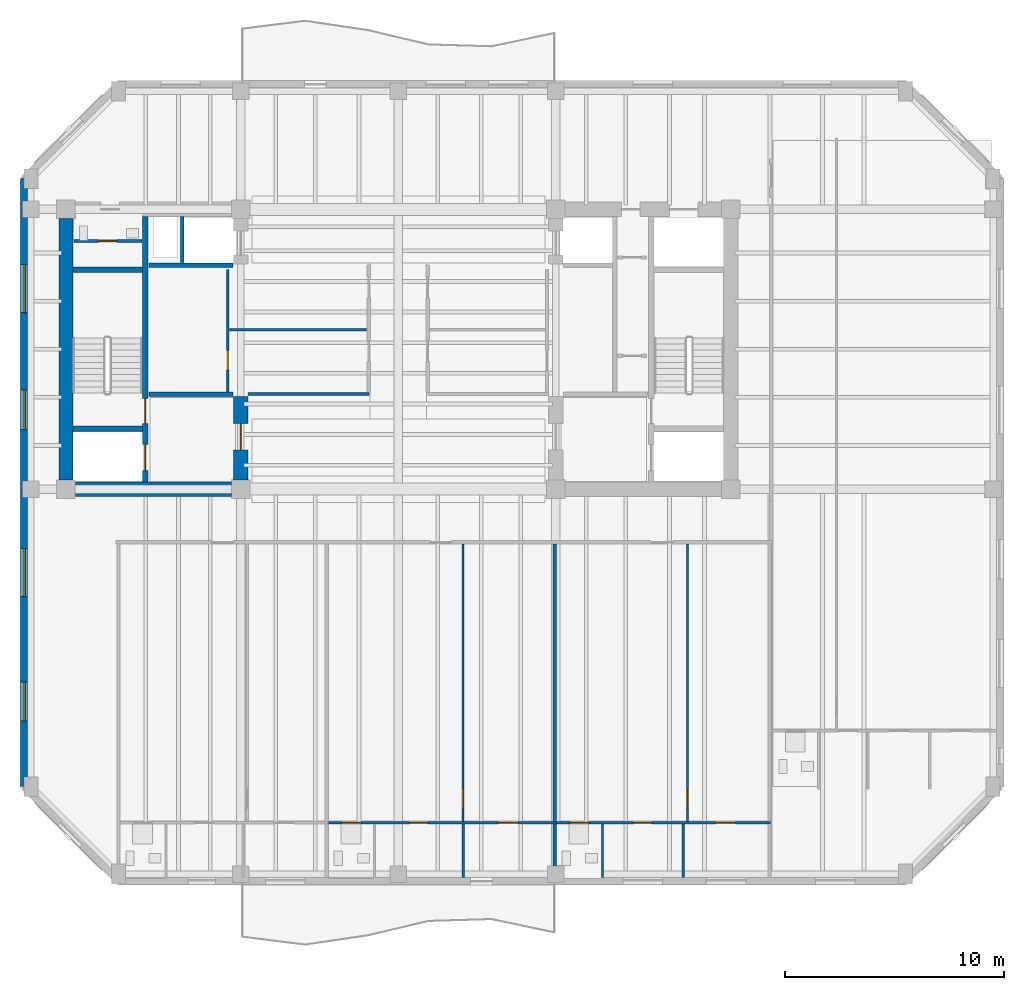
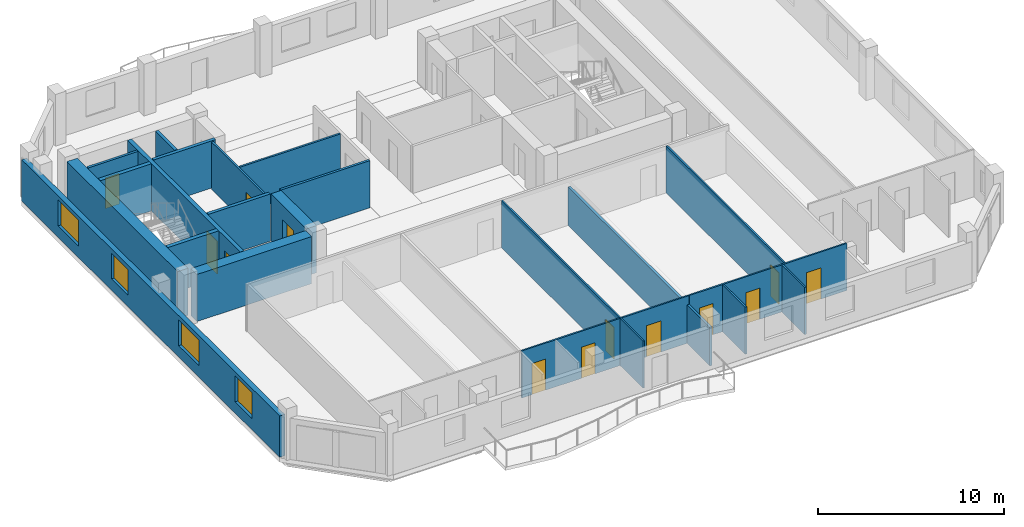
# One storey, part 3 of 10: 22 walls, 13 doors, 4 windows, 17 openings.
"""IFC4 building model written with IfcOpenShell, lengths in metres."""

import ifcopenshell
import ifcopenshell.guid

model = None  # the IFC model being written
_history = None  # IfcOwnerHistory: only IFC2X3 demands one
_inside = {}  # id of a spatial element -> (the spatial element, [elements in it])
_under = {}  # id of a project, library or spatial element -> (it, [spatial elements below it])
_declared = {}  # id of a project -> (the project, [libraries it declares])
_typed = {}  # id of a type object -> (the type object, [elements of that type])
_made_of = {}  # id of a material, layer set ... -> (it, [elements and type objects made of it])


def new_model(schema):
    """Start an empty IFC model of exactly this schema.

    Asked for "IFC4X3", IfcOpenShell would pick the latest addendum, in which some entities
    have other attributes; the version numbers below select the first issue.
    IFC2X3 requires an IfcOwnerHistory on every rooted entity: one is made here for all.
    """
    global model, _history
    if schema == "IFC4X3":
        model = ifcopenshell.file(schema_version=(4, 3, 0, 0))
    else:
        model = ifcopenshell.file(schema=schema)
    _inside.clear()
    _under.clear()
    _declared.clear()
    _typed.clear()
    _made_of.clear()
    _history = None
    if model.schema == "IFC2X3":
        org = make("IfcOrganization", Name="unknown")
        user = make(
            "IfcPersonAndOrganization",
            ThePerson=make("IfcPerson", FamilyName="unknown"),
            TheOrganization=org,
        )
        app = make(
            "IfcApplication",
            ApplicationDeveloper=org,
            Version="unknown",
            ApplicationFullName="unknown",
            ApplicationIdentifier="unknown",
        )
        _history = make(
            "IfcOwnerHistory",
            OwningUser=user,
            OwningApplication=app,
            ChangeAction="ADDED",
            CreationDate=0,
        )
    return model


def make(cls, **values):
    """One entity of the class cls with the attributes given. An attribute that is None is left unset."""
    return model.create_entity(
        cls, **{name: value for name, value in values.items() if value is not None}
    )


def rooted(cls, **values):
    """An entity with a GlobalId (a new one), such as an element, a storey or a relation."""
    return make(cls, GlobalId=ifcopenshell.guid.new(), OwnerHistory=_history, **values)


def si_unit(unit_type, name, prefix=None):
    """IfcSIUnit, for example si_unit("LENGTHUNIT", "METRE", prefix="MILLI")."""
    return make("IfcSIUnit", UnitType=unit_type, Prefix=prefix, Name=name)


def assignment(units):
    """IfcUnitAssignment: the units of a project."""
    return None if units is None else make("IfcUnitAssignment", Units=units)


def point(xyz):
    """IfcCartesianPoint."""
    return None if xyz is None else make("IfcCartesianPoint", Coordinates=xyz)


def direction(xyz):
    """IfcDirection."""
    return None if xyz is None else make("IfcDirection", DirectionRatios=xyz)


def frame(location, z_axis=None, x_axis=None):
    """IfcAxis2Placement3D, a coordinate frame: its origin and axes. An axis left out is left unset."""
    return make(
        "IfcAxis2Placement3D",
        Location=point(location),
        Axis=direction(z_axis),
        RefDirection=direction(x_axis),
    )


def frame_2d(location, x_axis=None):
    """IfcAxis2Placement2D, a coordinate frame in the plane: its origin and x axis."""
    return make(
        "IfcAxis2Placement2D", Location=point(location), RefDirection=direction(x_axis)
    )


def origin():
    """The frame at (0, 0, 0) with its axes left unset."""
    return frame((0.0, 0.0, 0.0))


def place(relative_to, where):
    """IfcLocalPlacement: puts the frame where relative to a parent placement (None: the world)."""
    return make(
        "IfcLocalPlacement", PlacementRelTo=relative_to, RelativePlacement=where
    )


def context(
    kind, dimensions, precision=None, world=None, true_north=None, identifier=None
):
    """IfcGeometricRepresentationContext, for example the 3D "Model" context."""
    return make(
        "IfcGeometricRepresentationContext",
        ContextIdentifier=identifier,
        ContextType=kind,
        CoordinateSpaceDimension=dimensions,
        Precision=precision,
        WorldCoordinateSystem=world,
        TrueNorth=true_north,
    )


def subcontext(parent, identifier, kind, view, scale=None):
    """IfcGeometricRepresentationSubContext, for example "Body" below "Model"."""
    return make(
        "IfcGeometricRepresentationSubContext",
        ContextIdentifier=identifier,
        ContextType=kind,
        ParentContext=parent,
        TargetScale=scale,
        TargetView=view,
    )


def project(units=None, contexts=None):
    """IfcProject with its units and contexts."""
    return rooted(
        "IfcProject",
        Name="project",
        RepresentationContexts=contexts,
        UnitsInContext=assignment(units),
    )


def spatial(cls, under=None, at=None, **own):
    """A site, building, storey or space (cls), placed at a placement, below another one or the project."""
    s = rooted(cls, ObjectPlacement=at, **own)
    if under is not None:
        _under.setdefault(under.id(), (under, []))[1].append(s)
    return s


def profile(cls, at=None, kind="AREA", **sizes):
    """A parametric profile (cls). Its sizes go by their IFC names, for example OverallWidth=200.0."""
    return make(cls, ProfileType=kind, Position=at, **sizes)


def rectangle(**sizes):
    """IfcRectangleProfileDef."""
    return profile("IfcRectangleProfileDef", **sizes)


def extrude(swept, where, along, depth):
    """IfcExtrudedAreaSolid: the profile swept, set in the frame where, extruded along a direction by depth."""
    return make(
        "IfcExtrudedAreaSolid",
        SweptArea=swept,
        Position=where,
        ExtrudedDirection=direction(along),
        Depth=depth,
    )


def shape(context_of_items, identifier, shape_type, items):
    """IfcShapeRepresentation: the items that make up one representation, for example the "Body"."""
    return make(
        "IfcShapeRepresentation",
        ContextOfItems=context_of_items,
        RepresentationIdentifier=identifier,
        RepresentationType=shape_type,
        Items=items,
    )


def material(Name=None, Category=None):
    """IfcMaterial."""
    return make("IfcMaterial", Name=Name, Category=Category)


def layer(
    of_material, thickness, ventilated=None, Name=None, Category=None, Priority=None
):
    """IfcMaterialLayer: one layer of a wall or slab, of a material (None: an air gap)."""
    return make(
        "IfcMaterialLayer",
        Material=of_material,
        LayerThickness=thickness,
        IsVentilated=ventilated,
        Name=Name,
        Category=Category,
        Priority=Priority,
    )


def layer_set(layers, Name=None):
    """IfcMaterialLayerSet."""
    return make("IfcMaterialLayerSet", MaterialLayers=layers, LayerSetName=Name)


def made_of(thing, what):
    """Note that an element or type object is made of a material, layer set ...; save() writes the relation."""
    if what is not None:
        _made_of.setdefault(what.id(), (what, []))[1].append(thing)
    return thing


def type_object(cls, material=None, **own):
    """A type object (cls), such as IfcWallType, which elements share."""
    return made_of(rooted(cls, **own), material)


def element(
    cls,
    number,
    at=None,
    inside=None,
    cuts=None,
    type_object=None,
    material=None,
    context=None,
    identifier="Body",
    shape_type=None,
    held_by="IfcProductDefinitionShape",
    body=None,
    shapes=None,
    **own,
):
    """One element of the class cls, such as IfcWall. Its Tag is "e" and its number.

    at: its placement. inside: the storey or other place that contains it. cuts: it is an
    opening in that element (IfcRelVoidsElement). A single representation is given by context,
    identifier, shape_type and body (its items); several are given by shapes. held_by: the class
    of the entity that holds the representations. save() writes the other relations.
    """
    e = rooted(cls, Tag="e%d" % number, ObjectPlacement=at, **own)
    if body is not None:
        shapes = [shape(context, identifier, shape_type, body)]
    if shapes is not None:
        e.Representation = make(held_by, Representations=shapes)
    if inside is not None:
        _inside.setdefault(inside.id(), (inside, []))[1].append(e)
    if cuts is not None:
        rooted(
            "IfcRelVoidsElement", RelatingBuildingElement=cuts, RelatedOpeningElement=e
        )
    if type_object is not None:
        _typed.setdefault(type_object.id(), (type_object, []))[1].append(e)
    return made_of(e, material)


def fill(opening, filler):
    """IfcRelFillsElement: the door or window that sits in an opening."""
    return rooted(
        "IfcRelFillsElement",
        RelatingOpeningElement=opening,
        RelatedBuildingElement=filler,
    )


def aggregate(whole, parts):
    """IfcRelAggregates: a whole, such as a stair, and the parts it consists of."""
    return rooted("IfcRelAggregates", RelatingObject=whole, RelatedObjects=parts)


def save(model, path):
    """Write the relations noted so far, then the file.

    IfcRelAggregates (storeys below a building ...), IfcRelContainedInSpatialStructure (elements
    in a storey), IfcRelDefinesByType, IfcRelAssociatesMaterial and IfcRelDeclares: one each for
    every whole, place, type object, material and project.
    """
    for whole, parts in _under.values():
        aggregate(whole, parts)
    for where, things in _inside.values():
        rooted(
            "IfcRelContainedInSpatialStructure",
            RelatedElements=things,
            RelatingStructure=where,
        )
    for kind, things in _typed.values():
        rooted("IfcRelDefinesByType", RelatedObjects=things, RelatingType=kind)
    for what, things in _made_of.values():
        rooted("IfcRelAssociatesMaterial", RelatedObjects=things, RelatingMaterial=what)
    for by, libraries in _declared.values():
        rooted("IfcRelDeclares", RelatingContext=by, RelatedDefinitions=libraries)
    model.write(path)


model = new_model("IFC4")

# Units and contexts
model_context = context("Model", 3, precision=1e-05, world=origin(), true_north=direction((0.0, 1.0)))
body_context = subcontext(model_context, "Body", "Model", "MODEL_VIEW")
ifc_project = project(units=[si_unit("LENGTHUNIT", "METRE"), si_unit("AREAUNIT", "SQUARE_METRE"), si_unit("VOLUMEUNIT", "CUBIC_METRE"), si_unit("PLANEANGLEUNIT", "RADIAN"), si_unit("MASSUNIT", "GRAM", prefix="KILO")], contexts=[model_context])

# Site, building, storey
site_placement = place(None, origin())
site = spatial("IfcSite", under=ifc_project, at=site_placement, CompositionType="ELEMENT")
building_placement = place(site_placement, origin())
building = spatial("IfcBuilding", under=site, at=building_placement, Name="Kranthara Brick Stack", CompositionType="ELEMENT")
storey_placement = place(building_placement, frame((0.0, 0.0, 234.699951171875)))
storey = spatial("IfcBuildingStorey", under=building, at=storey_placement, Name="L61", CompositionType="ELEMENT", Elevation=234.699951171875)

# Wall, openings, windows
ifc_material_1 = material(Name="Warm buff clay brick masonry M15", Category="masonry")
ifc_layer_1 = layer(ifc_material_1, 0.320068359375)
ifc_layer_set_1 = layer_set([ifc_layer_1], Name="Warm buff clay brick masonry M15")
wall_type_1 = type_object("IfcWallType", Name="WL-BRK-UPPR-320", PredefinedType="STANDARD", material=ifc_layer_set_1)
wall_1_placement = place(storey_placement, frame((10.8798828125, 7.199951171875, 0.0), z_axis=(0.0, 0.0, 1.0), x_axis=(0.0, 1.0, 0.0)))
wall_1 = element("IfcWall", 1, at=wall_1_placement, inside=storey, type_object=wall_type_1, Name="L61 Exterior Brick Facade Wall WEST 1", PredefinedType="STANDARD", context=body_context, shape_type="SweptSolid", body=[
    extrude(rectangle(XDim=27.800048828125, YDim=0.320068359375, at=frame_2d((13.89990234375, 0.0))), origin(), (0.0, 0.0, 1.0), 2.72509765625),
])
opening_1_placement = place(wall_1_placement, frame((2.991943359375, 0.0, 0.75)))
opening_1 = element("IfcOpeningElement", 2, at=opening_1_placement, cuts=wall_1, Name="Opening WN07", PredefinedType="OPENING", context=body_context, shape_type="SweptSolid", body=[
    extrude(rectangle(XDim=1.800048828125, YDim=1.699951171875, at=frame_2d((0.89990234375, 0.85009765625))), frame((0.0, 0.169921875, 0.0), z_axis=(0.0, -1.0, 0.0), x_axis=(1.0, 0.0, 0.0)), (0.0, 0.0, 1.0), 0.340087890625),
])
opening_2_placement = place(wall_1_placement, frame((8.68408203125, 0.0, 0.75)))
opening_2 = element("IfcOpeningElement", 3, at=opening_2_placement, cuts=wall_1, Name="Opening WN08", PredefinedType="OPENING", context=body_context, shape_type="SweptSolid", body=[
    extrude(rectangle(XDim=2.199951171875, YDim=1.699951171875, at=frame_2d((1.10009765625, 0.85009765625))), frame((0.0, 0.169921875, 0.0), z_axis=(0.0, -1.0, 0.0), x_axis=(1.0, 0.0, 0.0)), (0.0, 0.0, 1.0), 0.340087890625),
])
opening_3_placement = place(wall_1_placement, frame((16.327880859375, 0.0, 0.75)))
opening_3 = element("IfcOpeningElement", 4, at=opening_3_placement, cuts=wall_1, Name="Opening WN07", PredefinedType="OPENING", context=body_context, shape_type="SweptSolid", body=[
    extrude(rectangle(XDim=1.800048828125, YDim=1.699951171875, at=frame_2d((0.89990234375, 0.85009765625))), frame((0.0, 0.169921875, 0.0), z_axis=(0.0, -1.0, 0.0), x_axis=(1.0, 0.0, 0.0)), (0.0, 0.0, 1.0), 0.340087890625),
])
opening_4_placement = place(wall_1_placement, frame((21.672119140625, 0.0, 0.75)))
opening_4 = element("IfcOpeningElement", 5, at=opening_4_placement, cuts=wall_1, Name="Opening WN08", PredefinedType="OPENING", context=body_context, shape_type="SweptSolid", body=[
    extrude(rectangle(XDim=2.199951171875, YDim=1.699951171875, at=frame_2d((1.10009765625, 0.85009765625))), frame((0.0, 0.169921875, 0.0), z_axis=(0.0, -1.0, 0.0), x_axis=(1.0, 0.0, 0.0)), (0.0, 0.0, 1.0), 0.340087890625),
])
ifc_material_2 = material(Name="Double-glazed low-E solar control glass", Category="glass")
window_type_1 = type_object("IfcWindowType", Name="WN-RES-1800x1850", PartitioningType="DOUBLE_PANEL_VERTICAL", PredefinedType="WINDOW", material=ifc_material_2)
window_1_placement = place(opening_1_placement, origin())
window_1 = element("IfcWindow", 6, at=window_1_placement, inside=storey, type_object=window_type_1, Name="L61 West Deep-Set Brick Window 01", OverallHeight=1.699951171875, OverallWidth=1.800048828125, PartitioningType="SINGLE_PANEL", PredefinedType="WINDOW", context=body_context, shape_type="SweptSolid", body=[
    extrude(rectangle(XDim=1.800048828125, YDim=1.699951171875, at=frame_2d((0.89990234375, 0.85009765625))), frame((0.0, -0.010009765625, 0.0), z_axis=(0.0, -1.0, 0.0), x_axis=(1.0, 0.0, 0.0)), (0.0, 0.0, 1.0), 0.06005859375),
])
fill(opening_1, window_1)
window_2_placement = place(opening_3_placement, origin())
window_2 = element("IfcWindow", 7, at=window_2_placement, inside=storey, type_object=window_type_1, Name="L61 West Deep-Set Brick Window 03", OverallHeight=1.699951171875, OverallWidth=1.800048828125, PartitioningType="SINGLE_PANEL", PredefinedType="WINDOW", context=body_context, shape_type="SweptSolid", body=[
    extrude(rectangle(XDim=1.800048828125, YDim=1.699951171875, at=frame_2d((0.89990234375, 0.85009765625))), frame((0.0, -0.010009765625, 0.0), z_axis=(0.0, -1.0, 0.0), x_axis=(1.0, 0.0, 0.0)), (0.0, 0.0, 1.0), 0.06005859375),
])
fill(opening_3, window_2)
ifc_material_3 = material(Name="Double-glazed low-E solar control glass", Category="glass")
window_type_2 = type_object("IfcWindowType", Name="WN-RES-2200x1850", PartitioningType="TRIPLE_PANEL_VERTICAL", PredefinedType="WINDOW", material=ifc_material_3)
window_3_placement = place(opening_2_placement, origin())
window_3 = element("IfcWindow", 8, at=window_3_placement, inside=storey, type_object=window_type_2, Name="L61 West Deep-Set Brick Window 02", OverallHeight=1.699951171875, OverallWidth=2.199951171875, PartitioningType="SINGLE_PANEL", PredefinedType="WINDOW", context=body_context, shape_type="SweptSolid", body=[
    extrude(rectangle(XDim=2.199951171875, YDim=1.699951171875, at=frame_2d((1.10009765625, 0.85009765625))), frame((0.0, -0.010009765625, 0.0), z_axis=(0.0, -1.0, 0.0), x_axis=(1.0, 0.0, 0.0)), (0.0, 0.0, 1.0), 0.06005859375),
])
fill(opening_2, window_3)
window_4_placement = place(opening_4_placement, origin())
window_4 = element("IfcWindow", 9, at=window_4_placement, inside=storey, type_object=window_type_2, Name="L61 West Deep-Set Brick Window 04", OverallHeight=1.699951171875, OverallWidth=2.199951171875, PartitioningType="SINGLE_PANEL", PredefinedType="WINDOW", context=body_context, shape_type="SweptSolid", body=[
    extrude(rectangle(XDim=2.199951171875, YDim=1.699951171875, at=frame_2d((1.10009765625, 0.85009765625))), frame((0.0, -0.010009765625, 0.0), z_axis=(0.0, -1.0, 0.0), x_axis=(1.0, 0.0, 0.0)), (0.0, 0.0, 1.0), 0.06005859375),
])
fill(opening_4, window_4)

# Wall, openings, doors
ifc_material_4 = material(Name="Concrete C50/60", Category="concrete")
ifc_layer_2 = layer(ifc_material_4, 0.25)
ifc_layer_set_2 = layer_set([ifc_layer_2], Name="Concrete C50/60")
wall_type_2 = type_object("IfcWallType", Name="WL-CORE-250", PredefinedType="SHEAR", material=ifc_layer_set_2)
wall_2_placement = place(storey_placement, frame((16.43505859375, 21.135009765625, 0.0), z_axis=(0.0, 0.0, 1.0), x_axis=(0.0, 1.0, 0.0)))
wall_2 = element("IfcWall", 10, at=wall_2_placement, inside=storey, type_object=wall_type_2, Name="L61 West Core Stair Bearing Spine Wall", PredefinedType="SHEAR", context=body_context, shape_type="SweptSolid", body=[
    extrude(rectangle(XDim=12.1298828125, YDim=0.25, at=frame_2d((6.06494140625, 0.0))), origin(), (0.0, 0.0, 1.0), 3.10009765625),
])
opening_5_placement = place(wall_2_placement, frame((0.514892578125, 0.0, 0.0)))
opening_5 = element("IfcOpeningElement", 11, at=opening_5_placement, cuts=wall_2, Name="Opening LD01", PredefinedType="OPENING", context=body_context, shape_type="SweptSolid", body=[
    extrude(rectangle(XDim=1.199951171875, YDim=2.14990234375, at=frame_2d((0.60009765625, 1.074951171875))), frame((0.0, 0.135009765625, 0.0), z_axis=(0.0, -1.0, 0.0), x_axis=(1.0, 0.0, 0.0)), (0.0, 0.0, 1.0), 0.27001953125),
])
opening_6_placement = place(wall_2_placement, frame((2.6650390625, 0.0, 0.0)))
opening_6 = element("IfcOpeningElement", 12, at=opening_6_placement, cuts=wall_2, Name="Opening D05", PredefinedType="OPENING", context=body_context, shape_type="SweptSolid", body=[
    extrude(rectangle(XDim=1.14990234375, YDim=2.14990234375, at=frame_2d((0.574951171875, 1.074951171875))), frame((0.0, 0.135009765625, 0.0), z_axis=(0.0, -1.0, 0.0), x_axis=(1.0, 0.0, 0.0)), (0.0, 0.0, 1.0), 0.27001953125),
])
ifc_material_5 = material(Name="Stainless steel sliding landing door", Category="steel")
door_type_1 = type_object("IfcDoorType", Name="DR-LD-FF1200", OperationType="DOUBLE_DOOR_SLIDING", PredefinedType="DOOR", material=ifc_material_5)
door_1_placement = place(opening_5_placement, origin())
door_1 = element("IfcDoor", 13, at=door_1_placement, inside=storey, type_object=door_type_1, Name="L61 Firefighting Lift FF-01 Landing Door", OperationType="DOUBLE_DOOR_SLIDING", OverallHeight=2.14990234375, OverallWidth=1.199951171875, PredefinedType="DOOR", context=body_context, shape_type="SweptSolid", body=[
    extrude(rectangle(XDim=1.199951171875, YDim=2.14990234375, at=frame_2d((0.60009765625, 1.074951171875))), frame((0.0, 0.02490234375, 0.0), z_axis=(0.0, -1.0, 0.0), x_axis=(1.0, 0.0, 0.0)), (0.0, 0.0, 1.0), 0.050048828125),
])
fill(opening_5, door_1)
ifc_material_6 = material(Name="Solid-core hardwood timber leaf in steel frame", Category="steel")
door_type_2 = type_object("IfcDoorType", Name="DR-ST-1150", OperationType="NOTDEFINED", PredefinedType="DOOR", material=ifc_material_6)
door_2_placement = place(opening_6_placement, origin())
door_2 = element("IfcDoor", 14, at=door_2_placement, inside=storey, type_object=door_type_2, Name="L61 Exit Stair ST01 Door", OperationType="SINGLE_SWING_RIGHT", OverallHeight=2.14990234375, OverallWidth=1.14990234375, PredefinedType="DOOR", context=body_context, shape_type="SweptSolid", body=[
    extrude(rectangle(XDim=1.14990234375, YDim=2.14990234375, at=frame_2d((0.574951171875, 1.074951171875))), frame((0.0, 0.02490234375, 0.0), z_axis=(0.0, -1.0, 0.0), x_axis=(1.0, 0.0, 0.0)), (0.0, 0.0, 1.0), 0.050048828125),
])
fill(opening_6, door_2)

# Walls
for number, where, z_axis, x_axis, name in (
    (15, (13.135009765625, 23.570068359375, 0.0), (0.0, 0.0, 1.0), (1.0, 0.0, 0.0), "L61 West Stairwell Bearing Wall WFF"),
    (16, (13.135009765625, 30.830078125, 0.0), (0.0, 0.0, 1.0), (1.0, 0.0, 0.0), "L61 West Stairwell Bearing Wall WST"),
):
    element("IfcWall", number, at=place(storey_placement, frame(where, z_axis=z_axis, x_axis=x_axis)), inside=storey, type_object=wall_type_2, Name=name, PredefinedType="SHEAR", context=body_context, shape_type="SweptSolid", body=[
        extrude(rectangle(XDim=3.175048828125, YDim=0.25, at=frame_2d((1.58740234375, 0.0))), origin(), (0.0, 0.0, 1.0), 3.10009765625),
    ])
ifc_material_7 = material(Name="Concrete C60/75", Category="concrete")
ifc_layer_3 = layer(ifc_material_7, 0.64990234375)
ifc_layer_set_3 = layer_set([ifc_layer_3], Name="Concrete C60/75")
wall_type_3 = type_object("IfcWallType", Name="WL-CORE-650", PredefinedType="SHEAR", material=ifc_layer_set_3)
wall_3_placement = place(storey_placement, frame((12.800048828125, 21.22998046875, 0.0), z_axis=(0.0, 0.0, 1.0), x_axis=(0.0, 1.0, 0.0)))
element("IfcWall", 17, at=wall_3_placement, inside=storey, type_object=wall_type_3, Name="L61 West Core Shear Wall West", PredefinedType="SHEAR", context=body_context, shape_type="SweptSolid", body=[
    extrude(rectangle(XDim=11.93994140625, YDim=0.64990234375, at=frame_2d((5.969970703125, 0.0))), origin(), (0.0, 0.0, 1.0), 3.10009765625),
])
wall_4_placement = place(storey_placement, frame((13.22998046875, 20.800048828125, 0.0), z_axis=(0.0, 0.0, 1.0), x_axis=(1.0, 0.0, 0.0)))
element("IfcWall", 18, at=wall_4_placement, inside=storey, type_object=wall_type_3, Name="L61 West Core Shear Wall South", PredefinedType="SHEAR", context=body_context, shape_type="SweptSolid", body=[
    extrude(rectangle(XDim=7.14013671875, YDim=0.64990234375, at=frame_2d((3.570068359375, 0.0))), origin(), (0.0, 0.0, 1.0), 3.10009765625),
])

# Wall, opening, door
wall_5_placement = place(storey_placement, frame((20.800048828125, 21.22998046875, 0.0), z_axis=(0.0, 0.0, 1.0), x_axis=(0.0, 1.0, 0.0)))
wall_5 = element("IfcWall", 19, at=wall_5_placement, inside=storey, type_object=wall_type_3, Name="L61 West Core Lobby Shear Wall", PredefinedType="SHEAR", context=body_context, shape_type="SweptSolid", body=[
    extrude(rectangle(XDim=3.820068359375, YDim=0.64990234375, at=frame_2d((1.91015625, 0.0))), origin(), (0.0, 0.0, 1.0), 3.10009765625),
])
opening_7_placement = place(wall_5_placement, frame((1.3701171875, 0.0, 0.0)))
opening_7 = element("IfcOpeningElement", 20, at=opening_7_placement, cuts=wall_5, Name="Opening D06", PredefinedType="OPENING", context=body_context, shape_type="SweptSolid", body=[
    extrude(rectangle(XDim=1.199951171875, YDim=2.14990234375, at=frame_2d((0.60009765625, 1.074951171875))), frame((0.0, 0.3349609375, 0.0), z_axis=(0.0, -1.0, 0.0), x_axis=(1.0, 0.0, 0.0)), (0.0, 0.0, 1.0), 0.669921875),
])
ifc_material_8 = material(Name="Solid-core hardwood timber leaf in steel frame", Category="steel")
door_type_3 = type_object("IfcDoorType", Name="DR-FFL-1200", OperationType="NOTDEFINED", PredefinedType="DOOR", material=ifc_material_8)
door_3_placement = place(opening_7_placement, origin())
door_3 = element("IfcDoor", 21, at=door_3_placement, inside=storey, type_object=door_type_3, Name="L61 West Firefighting Lobby Door", OperationType="SINGLE_SWING_LEFT", OverallHeight=2.14990234375, OverallWidth=1.199951171875, PredefinedType="DOOR", context=body_context, shape_type="SweptSolid", body=[
    extrude(rectangle(XDim=1.199951171875, YDim=2.14990234375, at=frame_2d((0.60009765625, 1.074951171875))), frame((0.0, 0.02490234375, 0.0), z_axis=(0.0, -1.0, 0.0), x_axis=(1.0, 0.0, 0.0)), (0.0, 0.0, 1.0), 0.050048828125),
])
fill(opening_7, door_3)

# Wall, openings, doors
ifc_material_9 = material(Name="Moisture-resistant wet-room partition", Category="other")
ifc_layer_4 = layer(ifc_material_9, 0.10009765625)
ifc_layer_set_4 = layer_set([ifc_layer_4], Name="Moisture-resistant wet-room partition")
wall_type_4 = type_object("IfcWallType", Name="WL-PART-100", PredefinedType="PARTITIONING", material=ifc_layer_set_4)
wall_6_placement = place(storey_placement, frame((24.81005859375, 5.550048828125, 0.0), z_axis=(0.0, 0.0, 1.0), x_axis=(1.0, 0.0, 0.0)))
wall_6 = element("IfcWall", 22, at=wall_6_placement, inside=storey, type_object=wall_type_4, Name="L61 Interior Partition 019", PredefinedType="PARTITIONING", context=body_context, shape_type="SweptSolid", body=[
    extrude(rectangle(XDim=10.383056640625, YDim=0.10009765625, at=frame_2d((5.19140625, 0.0))), origin(), (0.0, 0.0, 1.0), 3.10009765625),
])
opening_8_placement = place(wall_6_placement, frame((0.625, 0.0, 0.0)))
opening_8 = element("IfcOpeningElement", 23, at=opening_8_placement, cuts=wall_6, Name="Opening D17", PredefinedType="OPENING", context=body_context, shape_type="SweptSolid", body=[
    extrude(rectangle(XDim=0.85009765625, YDim=2.050048828125, at=frame_2d((0.425048828125, 1.02490234375))), frame((0.0, 0.06005859375, 0.0), z_axis=(0.0, -1.0, 0.0), x_axis=(1.0, 0.0, 0.0)), (0.0, 0.0, 1.0), 0.1201171875),
])
opening_9_placement = place(wall_6_placement, frame((3.7041015625, 0.0, 0.0)))
opening_9 = element("IfcOpeningElement", 24, at=opening_9_placement, cuts=wall_6, Name="Opening D16", PredefinedType="OPENING", context=body_context, shape_type="SweptSolid", body=[
    extrude(rectangle(XDim=0.85009765625, YDim=2.050048828125, at=frame_2d((0.425048828125, 1.02490234375))), frame((0.0, 0.06005859375, 0.0), z_axis=(0.0, -1.0, 0.0), x_axis=(1.0, 0.0, 0.0)), (0.0, 0.0, 1.0), 0.1201171875),
])
opening_10_placement = place(wall_6_placement, frame((7.760986328125, 0.0, 0.0)))
opening_10 = element("IfcOpeningElement", 25, at=opening_10_placement, cuts=wall_6, Name="Opening D15", PredefinedType="OPENING", context=body_context, shape_type="SweptSolid", body=[
    extrude(rectangle(XDim=0.89990234375, YDim=2.050048828125, at=frame_2d((0.449951171875, 1.02490234375))), frame((0.0, 0.06005859375, 0.0), z_axis=(0.0, -1.0, 0.0), x_axis=(1.0, 0.0, 0.0)), (0.0, 0.0, 1.0), 0.1201171875),
])
ifc_material_10 = material(Name="Solid-core hardwood timber leaf in steel frame", Category="steel")
door_type_4 = type_object("IfcDoorType", Name="DR-INT-850", OperationType="NOTDEFINED", PredefinedType="DOOR", material=ifc_material_10)
door_4_placement = place(opening_9_placement, origin())
door_4 = element("IfcDoor", 26, at=door_4_placement, inside=storey, type_object=door_type_4, Name="L61 Unit L61B Kitchen 18", OperationType="SINGLE_SWING_RIGHT", OverallHeight=2.050048828125, OverallWidth=0.85009765625, PredefinedType="DOOR", context=body_context, shape_type="SweptSolid", body=[
    extrude(rectangle(XDim=0.85009765625, YDim=2.050048828125, at=frame_2d((0.425048828125, 1.02490234375))), frame((0.0, 0.02490234375, 0.0), z_axis=(0.0, -1.0, 0.0), x_axis=(1.0, 0.0, 0.0)), (0.0, 0.0, 1.0), 0.050048828125),
])
fill(opening_9, door_4)
ifc_material_11 = material(Name="Solid-core hardwood timber leaf in steel frame", Category="steel")
door_type_5 = type_object("IfcDoorType", Name="DR-INT-900", OperationType="NOTDEFINED", PredefinedType="DOOR", material=ifc_material_11)
door_5_placement = place(opening_10_placement, origin())
door_5 = element("IfcDoor", 27, at=door_5_placement, inside=storey, type_object=door_type_5, Name="L61 Unit L61B Bedroom 19", OperationType="SINGLE_SWING_LEFT", OverallHeight=2.050048828125, OverallWidth=0.89990234375, PredefinedType="DOOR", context=body_context, shape_type="SweptSolid", body=[
    extrude(rectangle(XDim=0.89990234375, YDim=2.050048828125, at=frame_2d((0.449951171875, 1.02490234375))), frame((0.0, 0.02490234375, 0.0), z_axis=(0.0, -1.0, 0.0), x_axis=(1.0, 0.0, 0.0)), (0.0, 0.0, 1.0), 0.050048828125),
])
fill(opening_10, door_5)
ifc_material_12 = material(Name="Solid-core hardwood timber leaf in steel frame", Category="steel")
door_type_6 = type_object("IfcDoorType", Name="DR-WET-850", OperationType="NOTDEFINED", PredefinedType="DOOR", material=ifc_material_12)
door_6_placement = place(opening_8_placement, origin())
door_6 = element("IfcDoor", 28, at=door_6_placement, inside=storey, type_object=door_type_6, Name="L61 Unit L61B Bathroom 17", OperationType="SINGLE_SWING_LEFT", OverallHeight=2.050048828125, OverallWidth=0.85009765625, PredefinedType="DOOR", context=body_context, shape_type="SweptSolid", body=[
    extrude(rectangle(XDim=0.85009765625, YDim=2.050048828125, at=frame_2d((0.425048828125, 1.02490234375))), frame((0.0, 0.02490234375, 0.0), z_axis=(0.0, -1.0, 0.0), x_axis=(1.0, 0.0, 0.0)), (0.0, 0.0, 1.0), 0.050048828125),
])
fill(opening_8, door_6)

# Wall, opening, door
wall_7_placement = place(storey_placement, frame((30.966064453125, 5.60498046875, 0.0), z_axis=(0.0, 0.0, 1.0), x_axis=(0.0, 1.0, 0.0)))
wall_7 = element("IfcWall", 29, at=wall_7_placement, inside=storey, type_object=wall_type_4, Name="L61 Interior Partition 020", PredefinedType="PARTITIONING", context=body_context, shape_type="SweptSolid", body=[
    extrude(rectangle(XDim=12.695068359375, YDim=0.10009765625, at=frame_2d((6.34765625, 0.0))), origin(), (0.0, 0.0, 1.0), 3.10009765625),
])
opening_11_placement = place(wall_7_placement, frame((0.60498046875, 0.0, 0.0)))
opening_11 = element("IfcOpeningElement", 30, at=opening_11_placement, cuts=wall_7, Name="Opening D15", PredefinedType="OPENING", context=body_context, shape_type="SweptSolid", body=[
    extrude(rectangle(XDim=0.89990234375, YDim=2.050048828125, at=frame_2d((0.449951171875, 1.02490234375))), frame((0.0, 0.06005859375, 0.0), z_axis=(0.0, -1.0, 0.0), x_axis=(1.0, 0.0, 0.0)), (0.0, 0.0, 1.0), 0.1201171875),
])
door_7_placement = place(opening_11_placement, origin())
door_7 = element("IfcDoor", 31, at=door_7_placement, inside=storey, type_object=door_type_5, Name="L61 Unit L61B Study 16", OperationType="SINGLE_SWING_RIGHT", OverallHeight=2.050048828125, OverallWidth=0.89990234375, PredefinedType="DOOR", context=body_context, shape_type="SweptSolid", body=[
    extrude(rectangle(XDim=0.89990234375, YDim=2.050048828125, at=frame_2d((0.449951171875, 1.02490234375))), frame((0.0, 0.02490234375, 0.0), z_axis=(0.0, -1.0, 0.0), x_axis=(1.0, 0.0, 0.0)), (0.0, 0.0, 1.0), 0.050048828125),
])
fill(opening_11, door_7)

# Wall
wall_8_placement = place(storey_placement, frame((30.968017578125, 3.044921875, 0.0), z_axis=(0.0, 0.0, 1.0), x_axis=(0.0, 1.0, 0.0)))
element("IfcWall", 32, at=wall_8_placement, inside=storey, type_object=wall_type_4, Name="L61 Interior Partition 022", PredefinedType="PARTITIONING", context=body_context, shape_type="SweptSolid", body=[
    extrude(rectangle(XDim=2.4501953125, YDim=0.10009765625, at=frame_2d((1.22509765625, 0.0))), origin(), (0.0, 0.0, 1.0), 3.10009765625),
])

# Wall, openings, doors
wall_9_placement = place(storey_placement, frame((35.23291015625, 5.550048828125, 0.0), z_axis=(0.0, 0.0, 1.0), x_axis=(1.0, 0.0, 0.0)))
wall_9 = element("IfcWall", 33, at=wall_9_placement, inside=storey, type_object=wall_type_4, Name="L61 Interior Partition 024", PredefinedType="PARTITIONING", context=body_context, shape_type="SweptSolid", body=[
    extrude(rectangle(XDim=9.787109375, YDim=0.10009765625, at=frame_2d((4.8935546875, 0.0))), origin(), (0.0, 0.0, 1.0), 3.10009765625),
])
opening_12_placement = place(wall_9_placement, frame((0.625, 0.0, 0.0)))
opening_12 = element("IfcOpeningElement", 34, at=opening_12_placement, cuts=wall_9, Name="Opening D17", PredefinedType="OPENING", context=body_context, shape_type="SweptSolid", body=[
    extrude(rectangle(XDim=0.85009765625, YDim=2.050048828125, at=frame_2d((0.425048828125, 1.02490234375))), frame((0.0, 0.06005859375, 0.0), z_axis=(0.0, -1.0, 0.0), x_axis=(1.0, 0.0, 0.0)), (0.0, 0.0, 1.0), 0.1201171875),
])
opening_13_placement = place(wall_9_placement, frame((3.52490234375, 0.0, 0.0)))
opening_13 = element("IfcOpeningElement", 35, at=opening_13_placement, cuts=wall_9, Name="Opening D16", PredefinedType="OPENING", context=body_context, shape_type="SweptSolid", body=[
    extrude(rectangle(XDim=0.85009765625, YDim=2.050048828125, at=frame_2d((0.425048828125, 1.02490234375))), frame((0.0, 0.06005859375, 0.0), z_axis=(0.0, -1.0, 0.0), x_axis=(1.0, 0.0, 0.0)), (0.0, 0.0, 1.0), 0.1201171875),
])
opening_14_placement = place(wall_9_placement, frame((7.283935546875, 0.0, 0.0)))
opening_14 = element("IfcOpeningElement", 36, at=opening_14_placement, cuts=wall_9, Name="Opening D15", PredefinedType="OPENING", context=body_context, shape_type="SweptSolid", body=[
    extrude(rectangle(XDim=0.89990234375, YDim=2.050048828125, at=frame_2d((0.449951171875, 1.02490234375))), frame((0.0, 0.06005859375, 0.0), z_axis=(0.0, -1.0, 0.0), x_axis=(1.0, 0.0, 0.0)), (0.0, 0.0, 1.0), 0.1201171875),
])
door_8_placement = place(opening_13_placement, origin())
door_8 = element("IfcDoor", 37, at=door_8_placement, inside=storey, type_object=door_type_4, Name="L61 Unit L61C Kitchen 23", OperationType="SINGLE_SWING_LEFT", OverallHeight=2.050048828125, OverallWidth=0.85009765625, PredefinedType="DOOR", context=body_context, shape_type="SweptSolid", body=[
    extrude(rectangle(XDim=0.85009765625, YDim=2.050048828125, at=frame_2d((0.425048828125, 1.02490234375))), frame((0.0, 0.02490234375, 0.0), z_axis=(0.0, -1.0, 0.0), x_axis=(1.0, 0.0, 0.0)), (0.0, 0.0, 1.0), 0.050048828125),
])
fill(opening_13, door_8)
door_9_placement = place(opening_14_placement, origin())
door_9 = element("IfcDoor", 38, at=door_9_placement, inside=storey, type_object=door_type_5, Name="L61 Unit L61C Bedroom 24", OperationType="SINGLE_SWING_RIGHT", OverallHeight=2.050048828125, OverallWidth=0.89990234375, PredefinedType="DOOR", context=body_context, shape_type="SweptSolid", body=[
    extrude(rectangle(XDim=0.89990234375, YDim=2.050048828125, at=frame_2d((0.449951171875, 1.02490234375))), frame((0.0, 0.02490234375, 0.0), z_axis=(0.0, -1.0, 0.0), x_axis=(1.0, 0.0, 0.0)), (0.0, 0.0, 1.0), 0.050048828125),
])
fill(opening_14, door_9)
door_10_placement = place(opening_12_placement, origin())
door_10 = element("IfcDoor", 39, at=door_10_placement, inside=storey, type_object=door_type_6, Name="L61 Unit L61C Bathroom 22", OperationType="SINGLE_SWING_RIGHT", OverallHeight=2.050048828125, OverallWidth=0.85009765625, PredefinedType="DOOR", context=body_context, shape_type="SweptSolid", body=[
    extrude(rectangle(XDim=0.85009765625, YDim=2.050048828125, at=frame_2d((0.425048828125, 1.02490234375))), frame((0.0, 0.02490234375, 0.0), z_axis=(0.0, -1.0, 0.0), x_axis=(1.0, 0.0, 0.0)), (0.0, 0.0, 1.0), 0.050048828125),
])
fill(opening_12, door_10)

# Wall, opening, door
wall_10_placement = place(storey_placement, frame((41.22705078125, 5.60498046875, 0.0), z_axis=(0.0, 0.0, 1.0), x_axis=(0.0, 1.0, 0.0)))
wall_10 = element("IfcWall", 40, at=wall_10_placement, inside=storey, type_object=wall_type_4, Name="L61 Interior Partition 025", PredefinedType="PARTITIONING", context=body_context, shape_type="SweptSolid", body=[
    extrude(rectangle(XDim=12.695068359375, YDim=0.10009765625, at=frame_2d((6.34765625, 0.0))), origin(), (0.0, 0.0, 1.0), 3.10009765625),
])
opening_15_placement = place(wall_10_placement, frame((0.60498046875, 0.0, 0.0)))
opening_15 = element("IfcOpeningElement", 41, at=opening_15_placement, cuts=wall_10, Name="Opening D15", PredefinedType="OPENING", context=body_context, shape_type="SweptSolid", body=[
    extrude(rectangle(XDim=0.89990234375, YDim=2.050048828125, at=frame_2d((0.449951171875, 1.02490234375))), frame((0.0, 0.06005859375, 0.0), z_axis=(0.0, -1.0, 0.0), x_axis=(1.0, 0.0, 0.0)), (0.0, 0.0, 1.0), 0.1201171875),
])
door_11_placement = place(opening_15_placement, origin())
door_11 = element("IfcDoor", 42, at=door_11_placement, inside=storey, type_object=door_type_5, Name="L61 Unit L61C Study 21", OperationType="SINGLE_SWING_LEFT", OverallHeight=2.050048828125, OverallWidth=0.89990234375, PredefinedType="DOOR", context=body_context, shape_type="SweptSolid", body=[
    extrude(rectangle(XDim=0.89990234375, YDim=2.050048828125, at=frame_2d((0.449951171875, 1.02490234375))), frame((0.0, 0.02490234375, 0.0), z_axis=(0.0, -1.0, 0.0), x_axis=(1.0, 0.0, 0.0)), (0.0, 0.0, 1.0), 0.050048828125),
])
fill(opening_15, door_11)

# Walls
for number, where, z_axis, x_axis, name in (
    (43, (37.3330078125, 3.044921875, 0.0), (0.0, 0.0, 1.0), (0.0, 1.0, 0.0), "L61 Interior Partition 026"),
    (44, (41.032958984375, 3.044921875, 0.0), (0.0, 0.0, 1.0), (0.0, 1.0, 0.0), "L61 Interior Partition 027"),
):
    element("IfcWall", number, at=place(storey_placement, frame(where, z_axis=z_axis, x_axis=x_axis)), inside=storey, type_object=wall_type_4, Name=name, PredefinedType="PARTITIONING", context=body_context, shape_type="SweptSolid", body=[
        extrude(rectangle(XDim=2.4501953125, YDim=0.10009765625, at=frame_2d((1.22509765625, 0.0))), origin(), (0.0, 0.0, 1.0), 3.10009765625),
    ])

# Wall, opening, door
ifc_material_13 = material(Name="Acoustic gypsum plasterboard partition", Category="other")
ifc_layer_5 = layer(ifc_material_13, 0.1201171875)
ifc_layer_set_5 = layer_set([ifc_layer_5], Name="Acoustic gypsum plasterboard partition")
wall_type_5 = type_object("IfcWallType", Name="WL-PART-120", PredefinedType="PARTITIONING", material=ifc_layer_set_5)
wall_11_placement = place(storey_placement, frame((20.199951171875, 25.2548828125, 0.0), z_axis=(0.0, 0.0, 1.0), x_axis=(0.0, 1.0, 0.0)))
wall_11 = element("IfcWall", 45, at=wall_11_placement, inside=storey, type_object=wall_type_5, Name="L61 Interior Partition 007", PredefinedType="PARTITIONING", context=body_context, shape_type="SweptSolid", body=[
    extrude(rectangle(XDim=5.59521484375, YDim=0.1201171875, at=frame_2d((2.797607421875, 0.0))), origin(), (0.0, 0.0, 1.0), 3.10009765625),
])
opening_16_placement = place(wall_11_placement, frame((0.9951171875, 0.0, 0.0)))
opening_16 = element("IfcOpeningElement", 46, at=opening_16_placement, cuts=wall_11, Name="Opening D15", PredefinedType="OPENING", context=body_context, shape_type="SweptSolid", body=[
    extrude(rectangle(XDim=0.89990234375, YDim=2.050048828125, at=frame_2d((0.449951171875, 1.02490234375))), frame((0.0, 0.070068359375, 0.0), z_axis=(0.0, -1.0, 0.0), x_axis=(1.0, 0.0, 0.0)), (0.0, 0.0, 1.0), 0.14013671875),
])
door_12_placement = place(opening_16_placement, origin())
door_12 = element("IfcDoor", 47, at=door_12_placement, inside=storey, type_object=door_type_5, Name="L61 Music Room Door 04", OperationType="SINGLE_SWING_RIGHT", OverallHeight=2.050048828125, OverallWidth=0.89990234375, PredefinedType="DOOR", context=body_context, shape_type="SweptSolid", body=[
    extrude(rectangle(XDim=0.89990234375, YDim=2.050048828125, at=frame_2d((0.449951171875, 1.02490234375))), frame((0.0, 0.02490234375, 0.0), z_axis=(0.0, -1.0, 0.0), x_axis=(1.0, 0.0, 0.0)), (0.0, 0.0, 1.0), 0.050048828125),
])
fill(opening_16, door_12)

# Wall
wall_12_placement = place(storey_placement, frame((20.280029296875, 28.10009765625, 0.0), z_axis=(0.0, 0.0, 1.0), x_axis=(1.0, 0.0, 0.0)))
element("IfcWall", 48, at=wall_12_placement, inside=storey, type_object=wall_type_5, Name="L61 Interior Partition 008", PredefinedType="PARTITIONING", context=body_context, shape_type="SweptSolid", body=[
    extrude(rectangle(XDim=6.27001953125, YDim=0.1201171875, at=frame_2d((3.135009765625, 0.0))), origin(), (0.0, 0.0, 1.0), 3.10009765625),
])

# Wall, opening, door
ifc_material_14 = material(Name="Fire-rated gypsum board partition", Category="other")
ifc_layer_6 = layer(ifc_material_14, 0.14990234375)
ifc_layer_set_6 = layer_set([ifc_layer_6], Name="Fire-rated gypsum board partition")
wall_type_6 = type_object("IfcWallType", Name="WL-PART-150", PredefinedType="PARTITIONING", material=ifc_layer_set_6)
wall_13_placement = place(storey_placement, frame((13.179931640625, 32.14990234375, 0.0), z_axis=(0.0, 0.0, 1.0), x_axis=(1.0, 0.0, 0.0)))
wall_13 = element("IfcWall", 49, at=wall_13_placement, inside=storey, type_object=wall_type_6, Name="L61 Interior Partition 001", PredefinedType="PARTITIONING", context=body_context, shape_type="SweptSolid", body=[
    extrude(rectangle(XDim=3.10009765625, YDim=0.14990234375, at=frame_2d((1.550048828125, 0.0))), origin(), (0.0, 0.0, 1.0), 3.10009765625),
])
opening_17_placement = place(wall_13_placement, frame((1.10009765625, 0.0, 0.0)))
opening_17 = element("IfcOpeningElement", 50, at=opening_17_placement, cuts=wall_13, Name="Opening D10", PredefinedType="OPENING", context=body_context, shape_type="SweptSolid", body=[
    extrude(rectangle(XDim=0.85009765625, YDim=2.02001953125, at=frame_2d((0.425048828125, 1.010009765625))), frame((0.0, 0.0849609375, 0.0), z_axis=(0.0, -1.0, 0.0), x_axis=(1.0, 0.0, 0.0)), (0.0, 0.0, 1.0), 0.169921875),
])
ifc_material_15 = material(Name="Solid-core hardwood timber leaf in steel frame", Category="steel")
door_type_7 = type_object("IfcDoorType", Name="DR-RSR-850", OperationType="NOTDEFINED", PredefinedType="DOOR", material=ifc_material_15)
door_13_placement = place(opening_17_placement, origin())
door_13 = element("IfcDoor", 51, at=door_13_placement, inside=storey, type_object=door_type_7, Name="L61 West Inner Riser Door 01", OperationType="SINGLE_SWING_LEFT", OverallHeight=2.02001953125, OverallWidth=0.85009765625, PredefinedType="DOOR", context=body_context, shape_type="SweptSolid", body=[
    extrude(rectangle(XDim=0.85009765625, YDim=2.02001953125, at=frame_2d((0.425048828125, 1.010009765625))), frame((0.0, 0.02490234375, 0.0), z_axis=(0.0, -1.0, 0.0), x_axis=(1.0, 0.0, 0.0)), (0.0, 0.0, 1.0), 0.050048828125),
])
fill(opening_17, door_13)

# Walls
wall_14_placement = place(storey_placement, frame((21.1298828125, 25.14990234375, 0.0), z_axis=(0.0, 0.0, 1.0), x_axis=(1.0, 0.0, 0.0)))
element("IfcWall", 52, at=wall_14_placement, inside=storey, type_object=wall_type_6, Name="L61 Interior Partition 004", PredefinedType="PARTITIONING", context=body_context, shape_type="SweptSolid", body=[
    extrude(rectangle(XDim=5.52001953125, YDim=0.14990234375, at=frame_2d((2.760009765625, 0.0))), origin(), (0.0, 0.0, 1.0), 3.10009765625),
])
wall_15_placement = place(storey_placement, frame((35.153076171875, 3.044921875, 0.0), z_axis=(0.0, 0.0, 1.0), x_axis=(0.0, 1.0, 0.0)))
element("IfcWall", 53, at=wall_15_placement, inside=storey, type_object=wall_type_6, Name="L61 Interior Partition 023", PredefinedType="PARTITIONING", context=body_context, shape_type="SweptSolid", body=[
    extrude(rectangle(XDim=15.255126953125, YDim=0.14990234375, at=frame_2d((7.62744140625, 0.0))), origin(), (0.0, 0.0, 1.0), 2.53515625),
])
ifc_material_16 = material(Name="Gypsum plasterboard on acoustic twin stud", Category="other")
ifc_layer_7 = layer(ifc_material_16, 0.179931640625)
ifc_layer_set_7 = layer_set([ifc_layer_7], Name="Gypsum plasterboard on acoustic twin stud")
wall_type_7 = type_object("IfcWallType", Name="WL-PART-180", PredefinedType="PARTITIONING", material=ifc_layer_set_7)
wall_16_placement = place(storey_placement, frame((18.1201171875, 31.169921875, 0.0), z_axis=(0.0, 0.0, 1.0), x_axis=(0.0, 1.0, 0.0)))
element("IfcWall", 54, at=wall_16_placement, inside=storey, type_object=wall_type_7, Name="L61 PL-07 Shaft Back Wall", PredefinedType="PARTITIONING", context=body_context, shape_type="SweptSolid", body=[
    extrude(rectangle(XDim=2.094970703125, YDim=0.179931640625, at=frame_2d((1.04736328125, 0.0))), origin(), (0.0, 0.0, 1.0), 3.10009765625),
])
ifc_material_17 = material(Name="Concrete C40/50", Category="concrete")
ifc_layer_8 = layer(ifc_material_17, 0.199951171875)
ifc_layer_set_8 = layer_set([ifc_layer_8], Name="Concrete C40/50")
wall_type_8 = type_object("IfcWallType", Name="WL-PART-200", PredefinedType="SOLIDWALL", material=ifc_layer_set_8)
for number, where, z_axis, x_axis, name in (
    (55, (16.60009765625, 25.14990234375, 0.0), (0.0, 0.0, 1.0), (1.0, 0.0, 0.0), "L61 West Core Cross Wall WFL"),
    (56, (16.60009765625, 31.050048828125, 0.0), (0.0, 0.0, 1.0), (1.0, 0.0, 0.0), "L61 West Core Cross Wall WH4"),
):
    element("IfcWall", number, at=place(storey_placement, frame(where, z_axis=z_axis, x_axis=x_axis)), inside=storey, type_object=wall_type_8, Name=name, PredefinedType="SOLIDWALL", context=body_context, shape_type="SweptSolid", body=[
        extrude(rectangle(XDim=3.849853515625, YDim=0.199951171875, at=frame_2d((1.9248046875, 0.0))), origin(), (0.0, 0.0, 1.0), 3.10009765625),
    ])

save(model, "model.ifc")
